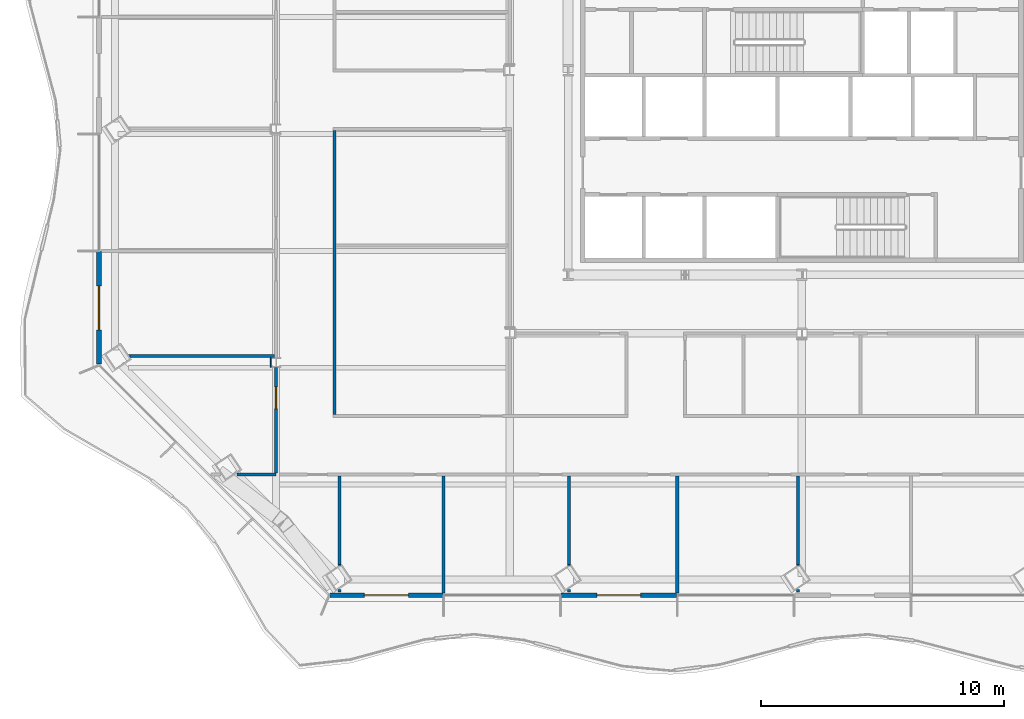
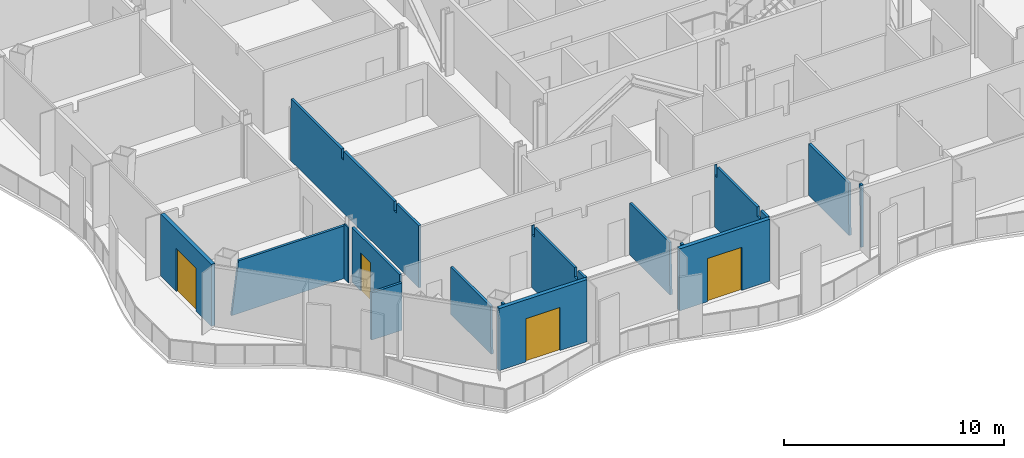
# One storey, part 7 of 22: 16 walls, 4 doors, 4 openings.
"""IFC4 building model written with IfcOpenShell, lengths in metres."""

from ifc_helpers import new_model, si_unit, direction, frame, frame_2d, origin, place, context, subcontext, project, spatial, polyline, rectangle, outline, extrude, material, layer, layer_set, type_object, element, fill, save


model = new_model("IFC4")

# Units and contexts
model_context = context("Model", 3, precision=1e-05, world=origin(), true_north=direction((0.0, 1.0)))
body_context = subcontext(model_context, "Body", "Model", "MODEL_VIEW")
ifc_project = project(units=[si_unit("LENGTHUNIT", "METRE"), si_unit("AREAUNIT", "SQUARE_METRE"), si_unit("VOLUMEUNIT", "CUBIC_METRE"), si_unit("PLANEANGLEUNIT", "RADIAN"), si_unit("MASSUNIT", "GRAM", prefix="KILO")], contexts=[model_context])

# Site, building, storey
site_placement = place(None, origin())
site = spatial("IfcSite", under=ifc_project, at=site_placement, CompositionType="ELEMENT")
building_placement = place(site_placement, origin())
building = spatial("IfcBuilding", under=site, at=building_placement, Name="Cairn Pilgrim Tower", CompositionType="ELEMENT")
storey_placement = place(building_placement, frame((0.0, 0.0, 112.199951171875)))
storey = spatial("IfcBuildingStorey", under=building, at=storey_placement, Name="L27", CompositionType="ELEMENT", Elevation=112.199951171875)

# Wall, opening, door
ifc_material_1 = material(Name="Bronze anodised aluminium insulated sandwich panel with mineral wool fill", Category="aluminium")
ifc_layer_1 = layer(ifc_material_1, 0.199951171875)
ifc_layer_set_1 = layer_set([ifc_layer_1], Name="BRONZE INFILL FRAME WALL 200")
wall_type_1 = type_object("IfcWallType", Name="BRONZE INFILL FRAME WALL 200", PredefinedType="NOTDEFINED", material=ifc_layer_set_1)
wall_1_placement = place(storey_placement, frame((-12.177001953125, -19.16357421875, 0.0), z_axis=(0.0, 0.0, 1.0), x_axis=(1.0, 0.0, 0.0)))
wall_1 = element("IfcWall", 1, at=wall_1_placement, inside=storey, type_object=wall_type_1, Name="Bronze infill frame wall IW-S1", PredefinedType="NOTDEFINED", context=body_context, shape_type="SweptSolid", body=[
    extrude(rectangle(XDim=4.62646484375, YDim=0.199951171875, at=frame_2d((2.313232421875, 0.0))), origin(), (0.0, 0.0, 1.0), 3.449951171875),
])
opening_1_placement = place(wall_1_placement, frame((1.407958984375, 0.0, 0.0)))
opening_1 = element("IfcOpeningElement", 2, at=opening_1_placement, cuts=wall_1, Name="Opening 2702B", PredefinedType="OPENING", context=body_context, shape_type="SweptSolid", body=[
    extrude(rectangle(XDim=1.800048828125, YDim=2.39990234375, at=frame_2d((0.89990234375, 1.199951171875))), frame((0.0, 0.10986328125, 0.0), z_axis=(0.0, -1.0, 0.0), x_axis=(1.0, 0.0, 0.0)), (0.0, 0.0, 1.0), 0.219970703125),
])
ifc_material_2 = material(Name="Bronze anodised aluminium frame with tinted low-E glass", Category="aluminium")
door_type_1 = type_object("IfcDoorType", Name="BALCONY SLIDING DOOR 1800x2400", OperationType="DOUBLE_DOOR_SLIDING", PredefinedType="DOOR", material=ifc_material_2)
door_1_placement = place(opening_1_placement, origin())
door_1 = element("IfcDoor", 3, at=door_1_placement, inside=storey, type_object=door_type_1, Name="Balcony sliding door 2702B", OperationType="SINGLE_SWING_LEFT", OverallHeight=2.39990234375, OverallWidth=1.800048828125, PredefinedType="DOOR", context=body_context, shape_type="SweptSolid", body=[
    extrude(rectangle(XDim=1.800048828125, YDim=2.39990234375, at=frame_2d((0.89990234375, 1.199951171875))), frame((0.0, 0.02490234375, 0.0), z_axis=(0.0, -1.0, 0.0), x_axis=(1.0, 0.0, 0.0)), (0.0, 0.0, 1.0), 0.050048828125),
])
fill(opening_1, door_1)

wall_2_placement = place(storey_placement, frame((-2.6904296875, -19.16357421875, 0.0), z_axis=(0.0, 0.0, 1.0), x_axis=(1.0, 0.0, 0.0)))
wall_2 = element("IfcWall", 4, at=wall_2_placement, inside=storey, type_object=wall_type_1, Name="Bronze infill frame wall IW-S3", PredefinedType="NOTDEFINED", context=body_context, shape_type="SweptSolid", body=[
    extrude(rectangle(XDim=4.739990234375, YDim=0.199951171875, at=frame_2d((2.3701171875, 0.0))), origin(), (0.0, 0.0, 1.0), 3.449951171875),
])
opening_2_placement = place(wall_2_placement, frame((1.470458984375, 0.0, 0.0)))
opening_2 = element("IfcOpeningElement", 5, at=opening_2_placement, cuts=wall_2, Name="Opening 2704B", PredefinedType="OPENING", context=body_context, shape_type="SweptSolid", body=[
    extrude(rectangle(XDim=1.800048828125, YDim=2.39990234375, at=frame_2d((0.89990234375, 1.199951171875))), frame((0.0, 0.10986328125, 0.0), z_axis=(0.0, -1.0, 0.0), x_axis=(1.0, 0.0, 0.0)), (0.0, 0.0, 1.0), 0.219970703125),
])
door_2_placement = place(opening_2_placement, origin())
door_2 = element("IfcDoor", 6, at=door_2_placement, inside=storey, type_object=door_type_1, Name="Balcony sliding door 2704B", OperationType="SINGLE_SWING_LEFT", OverallHeight=2.39990234375, OverallWidth=1.800048828125, PredefinedType="DOOR", context=body_context, shape_type="SweptSolid", body=[
    extrude(rectangle(XDim=1.800048828125, YDim=2.39990234375, at=frame_2d((0.89990234375, 1.199951171875))), frame((0.0, 0.02490234375, 0.0), z_axis=(0.0, -1.0, 0.0), x_axis=(1.0, 0.0, 0.0)), (0.0, 0.0, 1.0), 0.050048828125),
])
fill(opening_2, door_2)

wall_3_placement = place(storey_placement, frame((-21.67041015625, -5.043701171875, 0.0), z_axis=(0.0, 0.0, 1.0), x_axis=(0.0, -1.0, 0.0)))
wall_3 = element("IfcWall", 7, at=wall_3_placement, inside=storey, type_object=wall_type_1, Name="Bronze infill frame wall IW-W6", PredefinedType="NOTDEFINED", context=body_context, shape_type="SweptSolid", body=[
    extrude(rectangle(XDim=4.62646484375, YDim=0.199951171875, at=frame_2d((2.313232421875, 0.0))), origin(), (0.0, 0.0, 1.0), 3.449951171875),
])
opening_3_placement = place(wall_3_placement, frame((1.41845703125, 0.0, 0.0)))
opening_3 = element("IfcOpeningElement", 8, at=opening_3_placement, cuts=wall_3, Name="Opening 2710B", PredefinedType="OPENING", context=body_context, shape_type="SweptSolid", body=[
    extrude(rectangle(XDim=1.800048828125, YDim=2.39990234375, at=frame_2d((0.89990234375, 1.199951171875))), frame((0.0, 0.10986328125, 0.0), z_axis=(0.0, -1.0, 0.0), x_axis=(1.0, 0.0, 0.0)), (0.0, 0.0, 1.0), 0.219970703125),
])
door_3_placement = place(opening_3_placement, origin())
door_3 = element("IfcDoor", 9, at=door_3_placement, inside=storey, type_object=door_type_1, Name="Balcony sliding door 2710B", OperationType="SINGLE_SWING_LEFT", OverallHeight=2.39990234375, OverallWidth=1.800048828125, PredefinedType="DOOR", context=body_context, shape_type="SweptSolid", body=[
    extrude(rectangle(XDim=1.800048828125, YDim=2.39990234375, at=frame_2d((0.89990234375, 1.199951171875))), frame((0.0, 0.02490234375, 0.0), z_axis=(0.0, -1.0, 0.0), x_axis=(1.0, 0.0, 0.0)), (0.0, 0.0, 1.0), 0.050048828125),
])
fill(opening_3, door_3)

# Walls
ifc_material_3 = material(Name="Gypsum partition")
ifc_layer_2 = layer(ifc_material_3, 0.125)
ifc_layer_set_2 = layer_set([ifc_layer_2], Name="PARTITION 125 DRYWALL EI 60")
wall_type_2 = type_object("IfcWallType", Name="PARTITION 125 DRYWALL EI 60", PredefinedType="PARTITIONING", material=ifc_layer_set_2)
wall_4_placement = place(storey_placement, frame((-7.52001953125, -19.063720703125, 0.0), z_axis=(0.0, 0.0, 1.0), x_axis=(0.0, 1.0, 0.0)))
element("IfcWall", 10, at=wall_4_placement, inside=storey, type_object=wall_type_2, Name="PARTITION W001", PredefinedType="PARTITIONING", context=body_context, shape_type="SweptSolid", body=[
    extrude(outline(polyline([(0.0, 0.0), (4.80126953125, 0.0), (4.80126953125, 3.449951171875), (4.763671875, 3.449951171875), (4.76171875, 2.929931640625), (4.563720703125, 2.929931640625), (4.561767578125, 3.449951171875), (0.913818359375, 3.449951171875), (0.91162109375, 2.929931640625), (0.61376953125, 2.929931640625), (0.61181640625, 3.449951171875), (0.0, 3.449951171875), (0.0, 0.0)])), frame((0.0, 0.0625, 0.0), z_axis=(0.0, -1.0, 0.0), x_axis=(1.0, 0.0, 0.0)), (0.0, 0.0, 1.0), 0.125),
])
wall_5_placement = place(storey_placement, frame((2.080078125, -19.063720703125, 0.0), z_axis=(0.0, 0.0, 1.0), x_axis=(0.0, 1.0, 0.0)))
element("IfcWall", 11, at=wall_5_placement, inside=storey, type_object=wall_type_2, Name="PARTITION W002", PredefinedType="PARTITIONING", context=body_context, shape_type="SweptSolid", body=[
    extrude(outline(polyline([(0.0, 0.0), (4.80126953125, 0.0), (4.80126953125, 3.449951171875), (4.768798828125, 3.449951171875), (4.7666015625, 2.880126953125), (4.55859375, 2.880126953125), (4.556640625, 3.449951171875), (0.913818359375, 3.449951171875), (0.91162109375, 2.929931640625), (0.61376953125, 2.929931640625), (0.61181640625, 3.449951171875), (0.0, 3.449951171875), (0.0, 0.0)])), frame((0.0, 0.0625, 0.0), z_axis=(0.0, -1.0, 0.0), x_axis=(1.0, 0.0, 0.0)), (0.0, 0.0, 1.0), 0.125),
])
wall_6_placement = place(storey_placement, frame((-11.787109375, -19.03369140625, 0.0), z_axis=(0.0, 0.0, 1.0), x_axis=(0.0, 1.0, 0.0)))
element("IfcWall", 12, at=wall_6_placement, inside=storey, type_object=wall_type_2, Name="PARTITION W005", PredefinedType="PARTITIONING", context=body_context, shape_type="SweptSolid", body=[
    extrude(outline(polyline([(0.0, 0.0), (0.104736328125, 0.0), (0.104736328125, 0.862548828125), (0.104736328125, 1.72509765625), (0.12646484375, 2.587646484375), (0.177734375, 3.449951171875), (0.0, 3.449951171875), (0.0, 2.587646484375), (0.0, 1.72509765625), (0.0, 0.862548828125), (0.0, 0.0)])), frame((0.0, 0.0625, 0.0), z_axis=(0.0, -1.0, 0.0), x_axis=(1.0, 0.0, 0.0)), (0.0, 0.0, 1.0), 0.125),
])
wall_7_placement = place(storey_placement, frame((-2.3740234375, -19.03369140625, 0.0), z_axis=(0.0, 0.0, 1.0), x_axis=(0.0, 1.0, 0.0)))
element("IfcWall", 13, at=wall_7_placement, inside=storey, type_object=wall_type_2, Name="PARTITION W006", PredefinedType="PARTITIONING", context=body_context, shape_type="SweptSolid", body=[
    extrude(outline(polyline([(0.0, 0.0), (0.104248046875, 0.0), (0.104248046875, 0.862548828125), (0.104248046875, 1.72509765625), (0.12646484375, 2.587646484375), (0.177734375, 3.449951171875), (0.0, 3.449951171875), (0.0, 2.587646484375), (0.0, 1.72509765625), (0.0, 0.862548828125), (0.0, 0.0)])), frame((0.0, 0.0625, 0.0), z_axis=(0.0, -1.0, 0.0), x_axis=(1.0, 0.0, 0.0)), (0.0, 0.0, 1.0), 0.125),
])
wall_8_placement = place(storey_placement, frame((7.0400390625, -19.03369140625, 0.0), z_axis=(0.0, 0.0, 1.0), x_axis=(0.0, 1.0, 0.0)))
element("IfcWall", 14, at=wall_8_placement, inside=storey, type_object=wall_type_2, Name="PARTITION W007", PredefinedType="PARTITIONING", context=body_context, shape_type="SweptSolid", body=[
    extrude(outline(polyline([(0.0, 0.0), (0.1044921875, 0.0), (0.1044921875, 0.862548828125), (0.1044921875, 1.72509765625), (0.12646484375, 2.587646484375), (0.177734375, 3.449951171875), (0.0, 3.449951171875), (0.0, 2.587646484375), (0.0, 1.72509765625), (0.0, 0.862548828125), (0.0, 0.0)])), frame((0.0, 0.0625, 0.0), z_axis=(0.0, -1.0, 0.0), x_axis=(1.0, 0.0, 0.0)), (0.0, 0.0, 1.0), 0.125),
])
wall_9_placement = place(storey_placement, frame((-11.787109375, -17.948974609375, 0.0), z_axis=(0.0, 0.0, 1.0), x_axis=(0.0, 1.0, 0.0)))
element("IfcWall", 15, at=wall_9_placement, inside=storey, type_object=wall_type_2, Name="PARTITION W009", PredefinedType="PARTITIONING", context=body_context, shape_type="SweptSolid", body=[
    extrude(outline(polyline([(0.0, 0.0), (3.686279296875, 0.0), (3.686279296875, 0.862548828125), (3.686279296875, 1.72509765625), (3.686279296875, 2.587646484375), (3.686279296875, 2.630126953125), (0.064697265625, 2.630126953125), (0.064697265625, 2.587646484375), (0.064697265625, 1.72509765625), (0.05126953125, 0.862548828125), (0.0, 0.0)])), frame((0.0, 0.0625, 0.0), z_axis=(0.0, -1.0, 0.0), x_axis=(1.0, 0.0, 0.0)), (0.0, 0.0, 1.0), 0.125),
])
wall_10_placement = place(storey_placement, frame((-2.3740234375, -17.948974609375, 0.0), z_axis=(0.0, 0.0, 1.0), x_axis=(0.0, 1.0, 0.0)))
element("IfcWall", 16, at=wall_10_placement, inside=storey, type_object=wall_type_2, Name="PARTITION W010", PredefinedType="PARTITIONING", context=body_context, shape_type="SweptSolid", body=[
    extrude(outline(polyline([(0.0, 0.0), (3.686279296875, 0.0), (3.686279296875, 0.862548828125), (3.686279296875, 1.72509765625), (3.686279296875, 2.587646484375), (3.686279296875, 2.880126953125), (0.064208984375, 2.880126953125), (0.064208984375, 2.587646484375), (0.064208984375, 1.72509765625), (0.05126953125, 0.862548828125), (0.0, 0.0)])), frame((0.0, 0.0625, 0.0), z_axis=(0.0, -1.0, 0.0), x_axis=(1.0, 0.0, 0.0)), (0.0, 0.0, 1.0), 0.125),
])
wall_11_placement = place(storey_placement, frame((7.0400390625, -17.948974609375, 0.0), z_axis=(0.0, 0.0, 1.0), x_axis=(0.0, 1.0, 0.0)))
element("IfcWall", 17, at=wall_11_placement, inside=storey, type_object=wall_type_2, Name="PARTITION W011", PredefinedType="PARTITIONING", context=body_context, shape_type="SweptSolid", body=[
    extrude(outline(polyline([(0.0, 0.0), (3.686279296875, 0.0), (3.686279296875, 0.862548828125), (3.686279296875, 1.72509765625), (3.686279296875, 2.587646484375), (3.686279296875, 2.880126953125), (0.064697265625, 2.880126953125), (0.064697265625, 2.587646484375), (0.064697265625, 1.72509765625), (0.05126953125, 0.862548828125), (0.0, 0.0)])), frame((0.0, 0.0625, 0.0), z_axis=(0.0, -1.0, 0.0), x_axis=(1.0, 0.0, 0.0)), (0.0, 0.0, 1.0), 0.125),
])
wall_12_placement = place(storey_placement, frame((-16.00341796875, -14.199951171875, 0.0), z_axis=(0.0, 0.0, 1.0), x_axis=(1.0, 0.0, 0.0)))
element("IfcWall", 18, at=wall_12_placement, inside=storey, type_object=wall_type_2, Name="PARTITION W015", PredefinedType="PARTITIONING", context=body_context, shape_type="SweptSolid", body=[
    extrude(outline(polyline([(0.0, 0.0), (1.603271484375, 0.0), (1.603271484375, 0.862548828125), (1.603271484375, 1.72509765625), (1.603271484375, 2.587646484375), (1.603271484375, 2.630126953125), (0.0, 2.630126953125), (0.0, 2.587646484375), (0.0, 1.72509765625), (0.0, 0.862548828125), (0.0, 0.0)])), frame((0.0, 0.0625, 0.0), z_axis=(0.0, -1.0, 0.0), x_axis=(1.0, 0.0, 0.0)), (0.0, 0.0, 1.0), 0.125),
])

# Wall, opening, door
wall_13_placement = place(storey_placement, frame((-14.39990234375, -14.137451171875, 0.0), z_axis=(0.0, 0.0, 1.0), x_axis=(0.0, 1.0, 0.0)))
wall_13 = element("IfcWall", 19, at=wall_13_placement, inside=storey, type_object=wall_type_2, Name="PARTITION W018", PredefinedType="PARTITIONING", context=body_context, shape_type="SweptSolid", body=[
    extrude(rectangle(XDim=4.341064453125, YDim=0.125, at=frame_2d((2.17041015625, 0.0))), origin(), (0.0, 0.0, 1.0), 3.030029296875),
])
opening_4_placement = place(wall_13_placement, frame((2.637451171875, 0.0, 0.0)))
opening_4 = element("IfcOpeningElement", 20, at=opening_4_placement, cuts=wall_13, Name="Opening 2709", PredefinedType="OPENING", context=body_context, shape_type="SweptSolid", body=[
    extrude(rectangle(XDim=0.89990234375, YDim=2.10009765625, at=frame_2d((0.449951171875, 1.050048828125))), frame((0.0, 0.072509765625, 0.0), z_axis=(0.0, -1.0, 0.0), x_axis=(1.0, 0.0, 0.0)), (0.0, 0.0, 1.0), 0.14501953125),
])
ifc_material_4 = material(Name="Steel-faced fire door leaf", Category="steel")
door_type_2 = type_object("IfcDoorType", Name="FIRE DOOR 900x2100 FD30S", OperationType="NOTDEFINED", PredefinedType="DOOR", material=ifc_material_4)
door_4_placement = place(opening_4_placement, origin())
door_4 = element("IfcDoor", 21, at=door_4_placement, inside=storey, type_object=door_type_2, Name="DOOR 2709", OperationType="SINGLE_SWING_RIGHT", OverallHeight=2.10009765625, OverallWidth=0.89990234375, PredefinedType="DOOR", context=body_context, shape_type="SweptSolid", body=[
    extrude(rectangle(XDim=0.89990234375, YDim=2.10009765625, at=frame_2d((0.449951171875, 1.050048828125))), frame((0.0, 0.02490234375, 0.0), z_axis=(0.0, -1.0, 0.0), x_axis=(1.0, 0.0, 0.0)), (0.0, 0.0, 1.0), 0.050048828125),
])
fill(opening_4, door_4)

# Walls
wall_14_placement = place(storey_placement, frame((-12.0, -11.737548828125, 0.0), z_axis=(0.0, 0.0, 1.0), x_axis=(0.0, 1.0, 0.0)))
element("IfcWall", 22, at=wall_14_placement, inside=storey, type_object=wall_type_2, Name="PARTITION W022", PredefinedType="PARTITIONING", context=body_context, shape_type="SweptSolid", body=[
    extrude(outline(polyline([(0.0, 0.0), (11.675048828125, 0.0), (11.675048828125, 2.929931640625), (11.637451171875, 2.929931640625), (11.635498046875, 3.449951171875), (7.03759765625, 3.449951171875), (7.035400390625, 2.929931640625), (6.83740234375, 2.929931640625), (6.83544921875, 3.449951171875), (2.237548828125, 3.449951171875), (2.235595703125, 2.929931640625), (2.03759765625, 2.929931640625), (2.035400390625, 3.449951171875), (0.0, 3.449951171875), (0.0, 0.0)])), frame((0.0, 0.0625, 0.0), z_axis=(0.0, -1.0, 0.0), x_axis=(1.0, 0.0, 0.0)), (0.0, 0.0, 1.0), 0.125),
])
wall_15_placement = place(storey_placement, frame((-20.54736328125, -9.333984375, 0.0), z_axis=(0.0, 0.0, 1.0), x_axis=(1.0, 0.0, 0.0)))
element("IfcWall", 23, at=wall_15_placement, inside=storey, type_object=wall_type_2, Name="PARTITION W033", PredefinedType="PARTITIONING", context=body_context, shape_type="SweptSolid", body=[
    extrude(outline(polyline([(0.0, 0.0), (6.084716796875, 0.0), (6.084716796875, 0.862548828125), (6.084716796875, 1.72509765625), (6.084716796875, 2.587646484375), (6.084716796875, 2.929931640625), (0.357666015625, 2.929931640625), (0.3271484375, 2.587646484375), (0.2216796875, 1.72509765625), (0.11083984375, 0.862548828125), (0.0, 0.0)])), frame((0.0, 0.0625, 0.0), z_axis=(0.0, -1.0, 0.0), x_axis=(1.0, 0.0, 0.0)), (0.0, 0.0, 1.0), 0.125),
])
ifc_layer_3 = layer(ifc_material_3, 0.050048828125)
ifc_layer_set_3 = layer_set([ifc_layer_3], Name="PARTITION 50 DRYWALL EI 60")
wall_type_3 = type_object("IfcWallType", Name="PARTITION 50 DRYWALL EI 60", PredefinedType="PARTITIONING", material=ifc_layer_set_3)
wall_16_placement = place(storey_placement, frame((-14.62451171875, -9.79638671875, 0.0), z_axis=(0.0, 0.0, 1.0), x_axis=(0.0, 1.0, 0.0)))
element("IfcWall", 24, at=wall_16_placement, inside=storey, type_object=wall_type_3, Name="COLUMN CASING WC01", PredefinedType="PARTITIONING", context=body_context, shape_type="SweptSolid", body=[
    extrude(rectangle(XDim=0.392822265625, YDim=0.050048828125, at=frame_2d((0.1962890625, 0.0))), origin(), (0.0, 0.0, 1.0), 3.070068359375),
])

save(model, "model.ifc")
